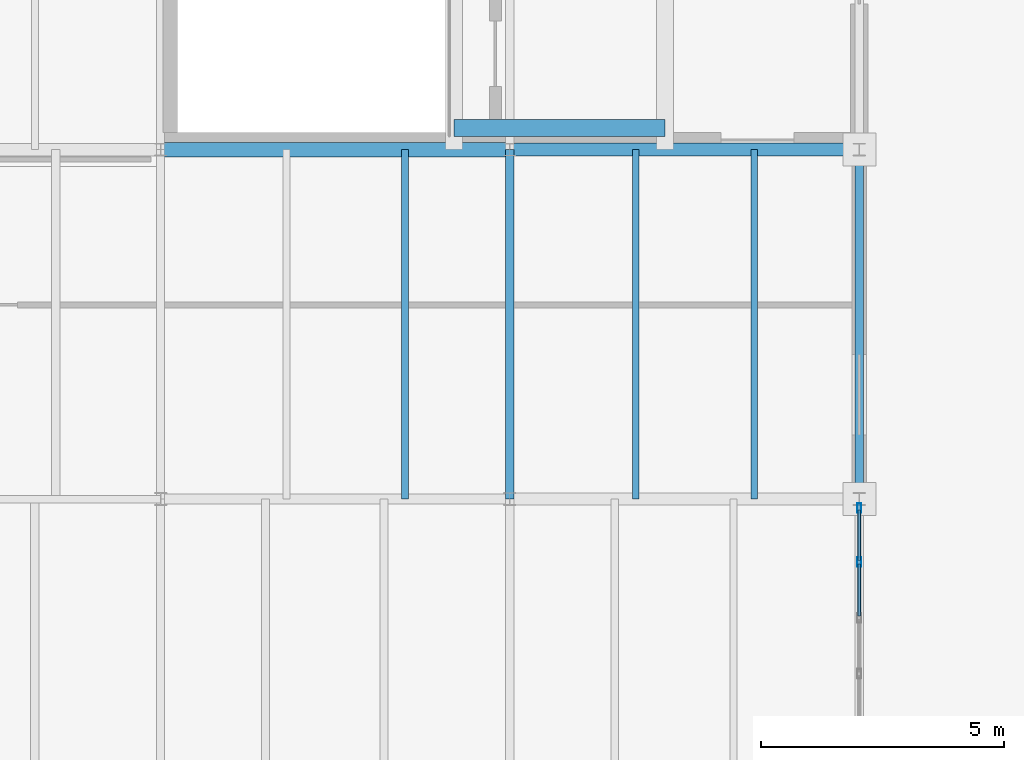
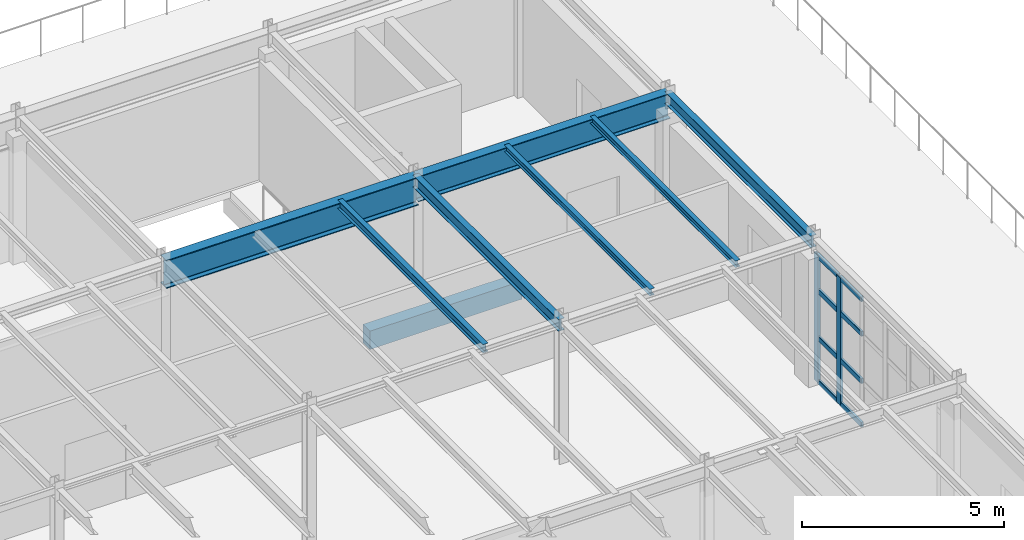
# One storey, part 24 of 36: 10 members, 8 beams, 1 element without a shape of its own.
"""IFC4 building model written with IfcOpenShell, lengths in metres."""

from ifc_helpers import new_model, si_unit, direction, frame, origin, origin_2d, place, context, subcontext, project, spatial, rectangle, hollow_rectangle, i_section, extrude, material, layer, layer_set, material_profile, profile_set, type_object, element, aggregate, save


model = new_model("IFC4")

# Units and contexts
model_context = context("Model", 3, precision=1e-05, world=origin(), true_north=direction((0.0, 1.0)))
body_context = subcontext(model_context, "Body", "Model", "MODEL_VIEW")
ifc_project = project(units=[si_unit("LENGTHUNIT", "METRE"), si_unit("AREAUNIT", "SQUARE_METRE"), si_unit("VOLUMEUNIT", "CUBIC_METRE"), si_unit("PLANEANGLEUNIT", "RADIAN"), si_unit("MASSUNIT", "GRAM", prefix="KILO")], contexts=[model_context])

# Site, building, storey
site_placement = place(None, origin())
site = spatial("IfcSite", under=ifc_project, at=site_placement, CompositionType="ELEMENT")
building_placement = place(site_placement, origin())
building = spatial("IfcBuilding", under=site, at=building_placement, Name="Kemerveld Promenade Tramway Depot", CompositionType="ELEMENT")
storey_placement = place(building_placement, frame((0.0, 0.0, 14.39990234375)))
storey = spatial("IfcBuildingStorey", under=building, at=storey_placement, Name="L03", CompositionType="ELEMENT", Elevation=14.39990234375)

# Beams
ifc_material_1 = material(Name="Steel S355", Category="steel")
ifc_material_profile_1 = material_profile(ifc_material_1, i_section(OverallWidth=0.293701171875, OverallDepth=0.850830078125, WebThickness=0.01611328125, FlangeThickness=0.02685546875, FilletRadius=0.017822265625, at=origin_2d()), Name="838x292x226 UB")
ifc_profile_set_1 = profile_set([ifc_material_profile_1], Name="Steel S355")
beam_type_1 = type_object("IfcBeamType", Name="BM-G01", PredefinedType="BEAM", material=ifc_profile_set_1)
beam_1_placement = place(storey_placement, frame((28.800048828125, 57.60009765625, 3.859619140625), z_axis=(1.0, 0.0, 0.0), x_axis=(0.0, 1.0, 0.0)))
element("IfcBeam", 1, at=beam_1_placement, inside=storey, type_object=beam_type_1, Name="BMX-L03-05-06-J", PredefinedType="BEAM", context=body_context, shape_type="SweptSolid", body=[
    extrude(i_section(OverallWidth=0.293701171875, OverallDepth=0.850830078125, WebThickness=0.01611328125, FlangeThickness=0.02685546875, FilletRadius=0.017822265625, at=origin_2d()), origin(), (0.0, 0.0, 1.0), 7.199951171875),
])
ifc_material_profile_2 = material_profile(ifc_material_1, i_section(OverallWidth=0.2666015625, OverallDepth=0.76220703125, WebThickness=0.014404296875, FlangeThickness=0.021484375, FilletRadius=0.0166015625, at=origin_2d()), Name="762x267x173 UB")
ifc_profile_set_2 = profile_set([ifc_material_profile_2], Name="Steel S355")
beam_type_2 = type_object("IfcBeamType", Name="BM-G02", PredefinedType="BEAM", material=ifc_profile_set_2)
beam_2_placement = place(storey_placement, frame((36.0, 57.60009765625, 3.904052734375), z_axis=(1.0, 0.0, 0.0), x_axis=(0.0, 1.0, 0.0)))
element("IfcBeam", 2, at=beam_2_placement, inside=storey, type_object=beam_type_2, Name="BMX-L03-06-07-J", PredefinedType="BEAM", context=body_context, shape_type="SweptSolid", body=[
    extrude(i_section(OverallWidth=0.2666015625, OverallDepth=0.76220703125, WebThickness=0.014404296875, FlangeThickness=0.021484375, FilletRadius=0.0166015625, at=origin_2d()), origin(), (0.0, 0.0, 1.0), 7.199951171875),
])
ifc_material_profile_3 = material_profile(ifc_material_1, i_section(OverallWidth=0.172119140625, OverallDepth=0.35791015625, WebThickness=0.008056640625, FlangeThickness=0.012939453125, FilletRadius=0.01025390625, at=origin_2d()), Name="356x171x57 UB")
ifc_profile_set_3 = profile_set([ifc_material_profile_3], Name="Steel S355")
beam_type_3 = type_object("IfcBeamType", Name="BM-G08", PredefinedType="BEAM", material=ifc_profile_set_3)
for number, where, z_axis, x_axis, name in (
    (3, (36.0, 50.39990234375, 4.106201171875), (0.0, 1.0, 0.0), (-1.0, 0.0, 0.0), "BMY-L03-06-H-J"),
    (4, (43.199951171875, 50.39990234375, 4.106201171875), (0.0, 1.0, 0.0), (-1.0, 0.0, 0.0), "BMY-L03-07-H-J"),
):
    element("IfcBeam", number, at=place(storey_placement, frame(where, z_axis=z_axis, x_axis=x_axis)), inside=storey, type_object=beam_type_3, Name=name, PredefinedType="BEAM", context=body_context, shape_type="SweptSolid", body=[
        extrude(i_section(OverallWidth=0.172119140625, OverallDepth=0.35791015625, WebThickness=0.008056640625, FlangeThickness=0.012939453125, FilletRadius=0.01025390625, at=origin_2d()), origin(), (0.0, 0.0, 1.0), 7.2001953125),
    ])
ifc_material_profile_4 = material_profile(ifc_material_1, i_section(OverallWidth=0.146484375, OverallDepth=0.256103515625, WebThickness=0.00634765625, FlangeThickness=0.010986328125, FilletRadius=0.007568359375, at=origin_2d()), Name="254x146x37 UB")
ifc_profile_set_4 = profile_set([ifc_material_profile_4], Name="Steel S355")
beam_type_4 = type_object("IfcBeamType", Name="BM-J02", PredefinedType="JOIST", material=ifc_profile_set_4)
beam_3_placement = place(storey_placement, frame((33.840087890625, 50.39990234375, 4.156982421875), z_axis=(0.0, 1.0, 0.0), x_axis=(-1.0, 0.0, 0.0)))
element("IfcBeam", 5, at=beam_3_placement, inside=storey, type_object=beam_type_4, Name="JST-L03-05-H-2", PredefinedType="JOIST", context=body_context, shape_type="SweptSolid", body=[
    extrude(i_section(OverallWidth=0.146484375, OverallDepth=0.256103515625, WebThickness=0.00634765625, FlangeThickness=0.010986328125, FilletRadius=0.007568359375, at=origin_2d()), origin(), (0.0, 0.0, 1.0), 7.2001953125),
])
ifc_material_profile_5 = material_profile(ifc_material_1, i_section(OverallWidth=0.13330078125, OverallDepth=0.203125, WebThickness=0.005615234375, FlangeThickness=0.0078125, FilletRadius=0.007568359375, at=origin_2d()), Name="203x133x25 UB")
ifc_profile_set_5 = profile_set([ifc_material_profile_5], Name="Steel S355")
beam_type_5 = type_object("IfcBeamType", Name="BM-J03", PredefinedType="JOIST", material=ifc_profile_set_5)
for number, where, z_axis, x_axis, name in (
    (6, (38.592041015625, 50.39990234375, 4.18359375), (0.0, 1.0, 0.0), (-1.0, 0.0, 0.0), "JST-L03-06-H-1"),
    (7, (41.0400390625, 50.39990234375, 4.18359375), (0.0, 1.0, 0.0), (-1.0, 0.0, 0.0), "JST-L03-06-H-2"),
):
    element("IfcBeam", number, at=place(storey_placement, frame(where, z_axis=z_axis, x_axis=x_axis)), inside=storey, type_object=beam_type_5, Name=name, PredefinedType="JOIST", context=body_context, shape_type="SweptSolid", body=[
        extrude(i_section(OverallWidth=0.13330078125, OverallDepth=0.203125, WebThickness=0.005615234375, FlangeThickness=0.0078125, FilletRadius=0.007568359375, at=origin_2d()), origin(), (0.0, 0.0, 1.0), 7.2001953125),
    ])
ifc_material_2 = material(Name="Concrete C40/50", Category="concrete")
ifc_material_profile_6 = material_profile(ifc_material_2, rectangle(XDim=0.35009765625, YDim=0.550048828125, at=origin_2d()), Name="RC-BM-350x550")
ifc_profile_set_6 = profile_set([ifc_material_profile_6], Name="Concrete C40/50")
beam_type_6 = type_object("IfcBeamType", Name="BM-RC3", PredefinedType="BEAM", material=ifc_profile_set_6)
beam_4_placement = place(storey_placement, frame((34.85009765625, 58.050048828125, -0.5), z_axis=(1.0, 0.0, 0.0), x_axis=(0.0, 1.0, 0.0)))
element("IfcBeam", 8, at=beam_4_placement, inside=storey, type_object=beam_type_6, Name="BM-COREX-C3-L03-S", PredefinedType="BEAM", context=body_context, shape_type="SweptSolid", body=[
    extrude(rectangle(XDim=0.35009765625, YDim=0.550048828125, at=origin_2d()), origin(), (0.0, 0.0, 1.0), 4.349853515625),
])

# Curtain wall, members
ifc_material_3 = material(Name="Bronze anodised aluminium and solar glass", Category="aluminium")
ifc_layer = layer(ifc_material_3, 0.199951171875)
ifc_layer_set = layer_set([ifc_layer], Name="CW-SYS-06")
curtain_wall_type = type_object("IfcCurtainWallType", Name="CW-SYS-06", PredefinedType="USERDEFINED", material=ifc_layer_set)
curtain_wall_placement = place(storey_placement, origin())
curtain_wall = element("IfcCurtainWall", 9, at=curtain_wall_placement, inside=storey, type_object=curtain_wall_type, Name="CW-L03-V5E-03", ObjectType="GLAZED_CURTAIN_WALL", PredefinedType="USERDEFINED")
ifc_material_4 = material(Name="Bronze anodised aluminium", Category="aluminium")
ifc_material_profile_7 = material_profile(ifc_material_4, hollow_rectangle(XDim=0.074951171875, YDim=0.199951171875, WallThickness=0.0048828125, InnerFilletRadius=0.001953125, OuterFilletRadius=0.0048828125, at=origin_2d()), Name="CW-MUL-200x75")
ifc_profile_set_7 = profile_set([ifc_material_profile_7], Name="Bronze anodised aluminium")
member_type_1 = type_object("IfcMemberType", Name="CW-MUL-B", PredefinedType="MULLION", material=ifc_profile_set_7)
member_1_placement = place(storey_placement, frame((43.199951171875, 50.21240234375, 0.0), z_axis=(0.0, 0.0, 1.0), x_axis=(1.0, 0.0, 0.0)))
member_1 = element("IfcMember", 10, at=member_1_placement, type_object=member_type_1, Name="CW06 mullion 1", PredefinedType="MULLION", context=body_context, shape_type="SweptSolid", body=[
    extrude(hollow_rectangle(XDim=0.074951171875, YDim=0.199951171875, WallThickness=0.0048828125, InnerFilletRadius=0.001953125, OuterFilletRadius=0.0048828125, at=origin_2d()), origin(), (0.0, 0.0, 1.0), 3.85009765625),
])
member_2_placement = place(storey_placement, frame((43.199951171875, 49.099853515625, 0.0), z_axis=(0.0, 0.0, 1.0), x_axis=(1.0, 0.0, 0.0)))
member_2 = element("IfcMember", 11, at=member_2_placement, type_object=member_type_1, Name="CW06 mullion 2", PredefinedType="MULLION", context=body_context, shape_type="SweptSolid", body=[
    extrude(hollow_rectangle(XDim=0.074951171875, YDim=0.199951171875, WallThickness=0.0048828125, InnerFilletRadius=0.001953125, OuterFilletRadius=0.0048828125, at=origin_2d()), origin(), (0.0, 0.0, 1.0), 3.85009765625),
])
ifc_material_profile_8 = material_profile(ifc_material_4, hollow_rectangle(XDim=0.06494140625, YDim=0.14990234375, WallThickness=0.00439453125, InnerFilletRadius=0.001953125, OuterFilletRadius=0.00439453125, at=origin_2d()), Name="CW-TRN-150x65")
ifc_profile_set_8 = profile_set([ifc_material_profile_8], Name="Bronze anodised aluminium")
member_type_2 = type_object("IfcMemberType", Name="CW-TRN-B", PredefinedType="USERDEFINED", material=ifc_profile_set_8)
member_3_placement = place(storey_placement, frame((43.199951171875, 50.1748046875, 0.03271484375), z_axis=(0.0, -1.0, 0.0), x_axis=(1.0, 0.0, 0.0)))
member_3 = element("IfcMember", 12, at=member_3_placement, type_object=member_type_2, Name="CW06 transom 1.1", ObjectType="TRANSOM", PredefinedType="USERDEFINED", context=body_context, shape_type="SweptSolid", body=[
    extrude(hollow_rectangle(XDim=0.06494140625, YDim=0.14990234375, WallThickness=0.00439453125, InnerFilletRadius=0.001953125, OuterFilletRadius=0.00439453125, at=origin_2d()), origin(), (0.0, 0.0, 1.0), 1.037353515625),
])
member_4_placement = place(storey_placement, frame((43.199951171875, 50.1748046875, 1.34814453125), z_axis=(0.0, -1.0, 0.0), x_axis=(1.0, 0.0, 0.0)))
member_4 = element("IfcMember", 13, at=member_4_placement, type_object=member_type_2, Name="CW06 transom 1.2", ObjectType="TRANSOM", PredefinedType="USERDEFINED", context=body_context, shape_type="SweptSolid", body=[
    extrude(hollow_rectangle(XDim=0.06494140625, YDim=0.14990234375, WallThickness=0.00439453125, InnerFilletRadius=0.001953125, OuterFilletRadius=0.00439453125, at=origin_2d()), origin(), (0.0, 0.0, 1.0), 1.037353515625),
])
member_5_placement = place(storey_placement, frame((43.199951171875, 50.1748046875, 2.772216796875), z_axis=(0.0, -1.0, 0.0), x_axis=(1.0, 0.0, 0.0)))
member_5 = element("IfcMember", 14, at=member_5_placement, type_object=member_type_2, Name="CW06 transom 1.3", ObjectType="TRANSOM", PredefinedType="USERDEFINED", context=body_context, shape_type="SweptSolid", body=[
    extrude(hollow_rectangle(XDim=0.06494140625, YDim=0.14990234375, WallThickness=0.00439453125, InnerFilletRadius=0.001953125, OuterFilletRadius=0.00439453125, at=origin_2d()), origin(), (0.0, 0.0, 1.0), 1.037353515625),
])
member_6_placement = place(storey_placement, frame((43.199951171875, 50.1748046875, 3.817626953125), z_axis=(0.0, -1.0, 0.0), x_axis=(1.0, 0.0, 0.0)))
member_6 = element("IfcMember", 15, at=member_6_placement, type_object=member_type_2, Name="CW06 transom 1.4", ObjectType="TRANSOM", PredefinedType="USERDEFINED", context=body_context, shape_type="SweptSolid", body=[
    extrude(hollow_rectangle(XDim=0.06494140625, YDim=0.14990234375, WallThickness=0.00439453125, InnerFilletRadius=0.001953125, OuterFilletRadius=0.00439453125, at=origin_2d()), origin(), (0.0, 0.0, 1.0), 1.037353515625),
])
member_7_placement = place(storey_placement, frame((43.199951171875, 49.0625, 0.03271484375), z_axis=(0.0, -1.0, 0.0), x_axis=(1.0, 0.0, 0.0)))
member_7 = element("IfcMember", 16, at=member_7_placement, type_object=member_type_2, Name="CW06 transom 2.1", ObjectType="TRANSOM", PredefinedType="USERDEFINED", context=body_context, shape_type="SweptSolid", body=[
    extrude(hollow_rectangle(XDim=0.06494140625, YDim=0.14990234375, WallThickness=0.00439453125, InnerFilletRadius=0.001953125, OuterFilletRadius=0.00439453125, at=origin_2d()), origin(), (0.0, 0.0, 1.0), 1.074951171875),
])
member_8_placement = place(storey_placement, frame((43.199951171875, 49.0625, 1.34814453125), z_axis=(0.0, -1.0, 0.0), x_axis=(1.0, 0.0, 0.0)))
member_8 = element("IfcMember", 17, at=member_8_placement, type_object=member_type_2, Name="CW06 transom 2.2", ObjectType="TRANSOM", PredefinedType="USERDEFINED", context=body_context, shape_type="SweptSolid", body=[
    extrude(hollow_rectangle(XDim=0.06494140625, YDim=0.14990234375, WallThickness=0.00439453125, InnerFilletRadius=0.001953125, OuterFilletRadius=0.00439453125, at=origin_2d()), origin(), (0.0, 0.0, 1.0), 1.074951171875),
])
member_9_placement = place(storey_placement, frame((43.199951171875, 49.0625, 2.772216796875), z_axis=(0.0, -1.0, 0.0), x_axis=(1.0, 0.0, 0.0)))
member_9 = element("IfcMember", 18, at=member_9_placement, type_object=member_type_2, Name="CW06 transom 2.3", ObjectType="TRANSOM", PredefinedType="USERDEFINED", context=body_context, shape_type="SweptSolid", body=[
    extrude(hollow_rectangle(XDim=0.06494140625, YDim=0.14990234375, WallThickness=0.00439453125, InnerFilletRadius=0.001953125, OuterFilletRadius=0.00439453125, at=origin_2d()), origin(), (0.0, 0.0, 1.0), 1.074951171875),
])
member_10_placement = place(storey_placement, frame((43.199951171875, 49.0625, 3.817626953125), z_axis=(0.0, -1.0, 0.0), x_axis=(1.0, 0.0, 0.0)))
member_10 = element("IfcMember", 19, at=member_10_placement, type_object=member_type_2, Name="CW06 transom 2.4", ObjectType="TRANSOM", PredefinedType="USERDEFINED", context=body_context, shape_type="SweptSolid", body=[
    extrude(hollow_rectangle(XDim=0.06494140625, YDim=0.14990234375, WallThickness=0.00439453125, InnerFilletRadius=0.001953125, OuterFilletRadius=0.00439453125, at=origin_2d()), origin(), (0.0, 0.0, 1.0), 1.074951171875),
])
aggregate(curtain_wall, [member_1, member_2, member_3, member_4, member_5, member_6, member_7, member_8, member_9, member_10])

save(model, "model.ifc")
